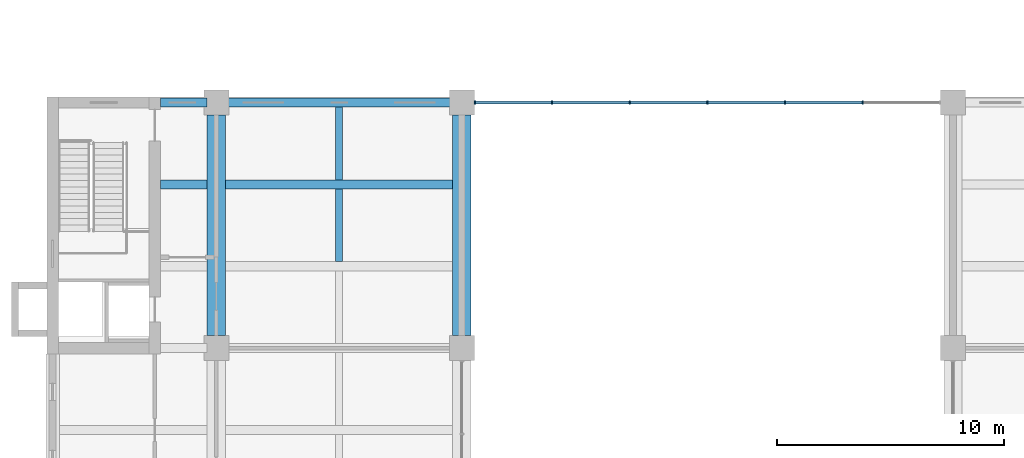
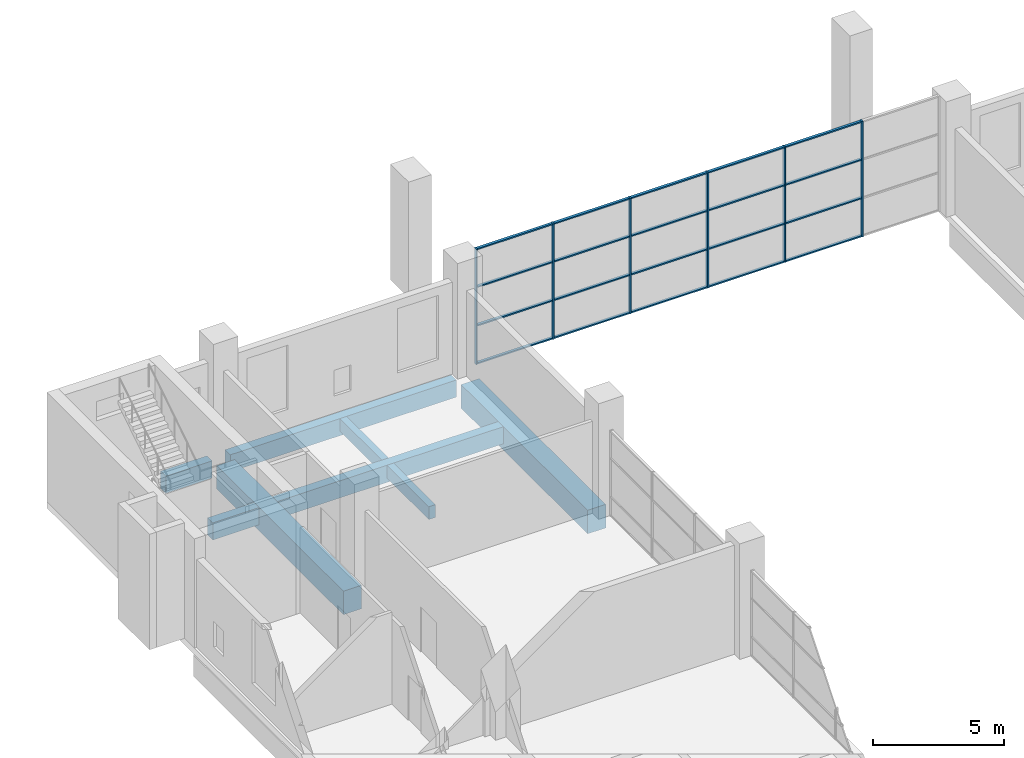
# One storey, part 11 of 33: 26 members, 8 beams, 1 element without a shape of its own.
"""IFC4 building model written with IfcOpenShell, lengths in metres."""

from ifc_helpers import new_model, si_unit, direction, frame, origin, origin_2d, place, context, subcontext, project, spatial, rectangle, extrude, material, layer, layer_set, material_profile, profile_set, type_object, element, aggregate, save


model = new_model("IFC4")

# Units and contexts
model_context = context("Model", 3, precision=1e-05, world=origin(), true_north=direction((0.0, 1.0)))
body_context = subcontext(model_context, "Body", "Model", "MODEL_VIEW")
ifc_project = project(units=[si_unit("LENGTHUNIT", "METRE"), si_unit("AREAUNIT", "SQUARE_METRE"), si_unit("VOLUMEUNIT", "CUBIC_METRE"), si_unit("PLANEANGLEUNIT", "RADIAN"), si_unit("MASSUNIT", "GRAM", prefix="KILO")], contexts=[model_context])

# Site, building, storey
site_placement = place(None, origin())
site = spatial("IfcSite", under=ifc_project, at=site_placement, CompositionType="ELEMENT")
building_placement = place(site_placement, origin())
building = spatial("IfcBuilding", under=site, at=building_placement, Name="Basin Gate Institute", CompositionType="ELEMENT")
storey_placement = place(building_placement, frame((0.0, 0.0, 6.0)))
storey = spatial("IfcBuildingStorey", under=building, at=storey_placement, Name="L01", CompositionType="ELEMENT", Elevation=6.0)

# Curtain wall, members
ifc_material_1 = material(Name="Aluminium and glass curtain wall", Category="aluminium")
ifc_layer = layer(ifc_material_1, 0.14990234375)
ifc_layer_set = layer_set([ifc_layer], Name="Atrium curtain wall CW81")
curtain_wall_type = type_object("IfcCurtainWallType", Name="Atrium curtain wall CW81", PredefinedType="NOTDEFINED", material=ifc_layer_set)
curtain_wall_placement = place(storey_placement, origin())
curtain_wall = element("IfcCurtainWall", 1, at=curtain_wall_placement, inside=storey, type_object=curtain_wall_type, material=ifc_layer_set, Name="Atrium end screen N L01", PredefinedType="NOTDEFINED")
ifc_material_2 = material(Name="Aluminium mullion", Category="aluminium")
ifc_material_profile_1 = material_profile(ifc_material_2, rectangle(XDim=0.159912109375, YDim=0.06005859375, at=origin_2d()), Name="Atrium mullion MU81 160 x 60")
ifc_profile_set_1 = profile_set([ifc_material_profile_1], Name="Aluminium mullion")
member_type_1 = type_object("IfcMemberType", Name="Atrium mullion MU81", PredefinedType="MULLION", material=ifc_profile_set_1)
member_1_placement = place(storey_placement, frame((79.780029296875, 99.89990234375, 0.0), z_axis=(0.0, 0.0, 1.0), x_axis=(0.0, 1.0, 0.0)))
member_1 = element("IfcMember", 2, at=member_1_placement, type_object=member_type_1, material=ifc_profile_set_1, Name="CW81 mullion 1", PredefinedType="MULLION", context=body_context, shape_type="SweptSolid", body=[
    extrude(rectangle(XDim=0.159912109375, YDim=0.06005859375, at=origin_2d()), origin(), (0.0, 0.0, 1.0), 5.39990234375),
])
member_2_placement = place(storey_placement, frame((83.166748046875, 99.89990234375, 0.0), z_axis=(0.0, 0.0, 1.0), x_axis=(0.0, 1.0, 0.0)))
member_2 = element("IfcMember", 3, at=member_2_placement, type_object=member_type_1, material=ifc_profile_set_1, Name="CW81 mullion 2", PredefinedType="MULLION", context=body_context, shape_type="SweptSolid", body=[
    extrude(rectangle(XDim=0.159912109375, YDim=0.06005859375, at=origin_2d()), origin(), (0.0, 0.0, 1.0), 5.39990234375),
])
member_3_placement = place(storey_placement, frame((86.583251953125, 99.89990234375, 0.0), z_axis=(0.0, 0.0, 1.0), x_axis=(0.0, 1.0, 0.0)))
member_3 = element("IfcMember", 4, at=member_3_placement, type_object=member_type_1, material=ifc_profile_set_1, Name="CW81 mullion 3", PredefinedType="MULLION", context=body_context, shape_type="SweptSolid", body=[
    extrude(rectangle(XDim=0.159912109375, YDim=0.06005859375, at=origin_2d()), origin(), (0.0, 0.0, 1.0), 5.39990234375),
])
member_4_placement = place(storey_placement, frame((90.0, 99.89990234375, 0.0), z_axis=(0.0, 0.0, 1.0), x_axis=(0.0, 1.0, 0.0)))
member_4 = element("IfcMember", 5, at=member_4_placement, type_object=member_type_1, material=ifc_profile_set_1, Name="CW81 mullion 4", PredefinedType="MULLION", context=body_context, shape_type="SweptSolid", body=[
    extrude(rectangle(XDim=0.159912109375, YDim=0.06005859375, at=origin_2d()), origin(), (0.0, 0.0, 1.0), 5.39990234375),
])
member_5_placement = place(storey_placement, frame((93.416748046875, 99.89990234375, 0.0), z_axis=(0.0, 0.0, 1.0), x_axis=(0.0, 1.0, 0.0)))
member_5 = element("IfcMember", 6, at=member_5_placement, type_object=member_type_1, material=ifc_profile_set_1, Name="CW81 mullion 5", PredefinedType="MULLION", context=body_context, shape_type="SweptSolid", body=[
    extrude(rectangle(XDim=0.159912109375, YDim=0.06005859375, at=origin_2d()), origin(), (0.0, 0.0, 1.0), 5.39990234375),
])
member_6_placement = place(storey_placement, frame((96.833251953125, 99.89990234375, 0.0), z_axis=(0.0, 0.0, 1.0), x_axis=(0.0, 1.0, 0.0)))
member_6 = element("IfcMember", 7, at=member_6_placement, type_object=member_type_1, material=ifc_profile_set_1, Name="CW81 mullion 6", PredefinedType="MULLION", context=body_context, shape_type="SweptSolid", body=[
    extrude(rectangle(XDim=0.159912109375, YDim=0.06005859375, at=origin_2d()), origin(), (0.0, 0.0, 1.0), 5.39990234375),
])
ifc_material_3 = material(Name="Aluminium transom", Category="aluminium")
ifc_material_profile_2 = material_profile(ifc_material_3, rectangle(XDim=0.1201171875, YDim=0.06005859375, at=origin_2d()), Name="Atrium transom TR81 120 x 60")
ifc_profile_set_2 = profile_set([ifc_material_profile_2], Name="Aluminium transom")
member_type_2 = type_object("IfcMemberType", Name="Atrium transom TR81", PredefinedType="USERDEFINED", material=ifc_profile_set_2)
member_7_placement = place(storey_placement, frame((79.81005859375, 99.89990234375, 0.030029296875), z_axis=(1.0, 0.0, 0.0), x_axis=(0.0, 1.0, 0.0)))
member_7 = element("IfcMember", 8, at=member_7_placement, type_object=member_type_2, material=ifc_profile_set_2, Name="CW81 transom 1.1", ObjectType="TRANSOM", PredefinedType="USERDEFINED", context=body_context, shape_type="SweptSolid", body=[
    extrude(rectangle(XDim=0.1201171875, YDim=0.06005859375, at=origin_2d()), origin(), (0.0, 0.0, 1.0), 3.32666015625),
])
member_8_placement = place(storey_placement, frame((79.81005859375, 99.89990234375, 1.800048828125), z_axis=(1.0, 0.0, 0.0), x_axis=(0.0, 1.0, 0.0)))
member_8 = element("IfcMember", 9, at=member_8_placement, type_object=member_type_2, material=ifc_profile_set_2, Name="CW81 transom 1.2", ObjectType="TRANSOM", PredefinedType="USERDEFINED", context=body_context, shape_type="SweptSolid", body=[
    extrude(rectangle(XDim=0.1201171875, YDim=0.06005859375, at=origin_2d()), origin(), (0.0, 0.0, 1.0), 3.32666015625),
])
member_9_placement = place(storey_placement, frame((79.81005859375, 99.89990234375, 3.60009765625), z_axis=(1.0, 0.0, 0.0), x_axis=(0.0, 1.0, 0.0)))
member_9 = element("IfcMember", 10, at=member_9_placement, type_object=member_type_2, material=ifc_profile_set_2, Name="CW81 transom 1.3", ObjectType="TRANSOM", PredefinedType="USERDEFINED", context=body_context, shape_type="SweptSolid", body=[
    extrude(rectangle(XDim=0.1201171875, YDim=0.06005859375, at=origin_2d()), origin(), (0.0, 0.0, 1.0), 3.32666015625),
])
member_10_placement = place(storey_placement, frame((79.81005859375, 99.89990234375, 5.3701171875), z_axis=(1.0, 0.0, 0.0), x_axis=(0.0, 1.0, 0.0)))
member_10 = element("IfcMember", 11, at=member_10_placement, type_object=member_type_2, material=ifc_profile_set_2, Name="CW81 transom 1.4", ObjectType="TRANSOM", PredefinedType="USERDEFINED", context=body_context, shape_type="SweptSolid", body=[
    extrude(rectangle(XDim=0.1201171875, YDim=0.06005859375, at=origin_2d()), origin(), (0.0, 0.0, 1.0), 3.32666015625),
])
member_11_placement = place(storey_placement, frame((83.19677734375, 99.89990234375, 0.030029296875), z_axis=(1.0, 0.0, 0.0), x_axis=(0.0, 1.0, 0.0)))
member_11 = element("IfcMember", 12, at=member_11_placement, type_object=member_type_2, material=ifc_profile_set_2, Name="CW81 transom 2.1", ObjectType="TRANSOM", PredefinedType="USERDEFINED", context=body_context, shape_type="SweptSolid", body=[
    extrude(rectangle(XDim=0.1201171875, YDim=0.06005859375, at=origin_2d()), origin(), (0.0, 0.0, 1.0), 3.3564453125),
])
member_12_placement = place(storey_placement, frame((83.19677734375, 99.89990234375, 1.800048828125), z_axis=(1.0, 0.0, 0.0), x_axis=(0.0, 1.0, 0.0)))
member_12 = element("IfcMember", 13, at=member_12_placement, type_object=member_type_2, material=ifc_profile_set_2, Name="CW81 transom 2.2", ObjectType="TRANSOM", PredefinedType="USERDEFINED", context=body_context, shape_type="SweptSolid", body=[
    extrude(rectangle(XDim=0.1201171875, YDim=0.06005859375, at=origin_2d()), origin(), (0.0, 0.0, 1.0), 3.3564453125),
])
member_13_placement = place(storey_placement, frame((83.19677734375, 99.89990234375, 3.60009765625), z_axis=(1.0, 0.0, 0.0), x_axis=(0.0, 1.0, 0.0)))
member_13 = element("IfcMember", 14, at=member_13_placement, type_object=member_type_2, material=ifc_profile_set_2, Name="CW81 transom 2.3", ObjectType="TRANSOM", PredefinedType="USERDEFINED", context=body_context, shape_type="SweptSolid", body=[
    extrude(rectangle(XDim=0.1201171875, YDim=0.06005859375, at=origin_2d()), origin(), (0.0, 0.0, 1.0), 3.3564453125),
])
member_14_placement = place(storey_placement, frame((83.19677734375, 99.89990234375, 5.3701171875), z_axis=(1.0, 0.0, 0.0), x_axis=(0.0, 1.0, 0.0)))
member_14 = element("IfcMember", 15, at=member_14_placement, type_object=member_type_2, material=ifc_profile_set_2, Name="CW81 transom 2.4", ObjectType="TRANSOM", PredefinedType="USERDEFINED", context=body_context, shape_type="SweptSolid", body=[
    extrude(rectangle(XDim=0.1201171875, YDim=0.06005859375, at=origin_2d()), origin(), (0.0, 0.0, 1.0), 3.3564453125),
])
member_15_placement = place(storey_placement, frame((86.61328125, 99.89990234375, 0.030029296875), z_axis=(1.0, 0.0, 0.0), x_axis=(0.0, 1.0, 0.0)))
member_15 = element("IfcMember", 16, at=member_15_placement, type_object=member_type_2, material=ifc_profile_set_2, Name="CW81 transom 3.1", ObjectType="TRANSOM", PredefinedType="USERDEFINED", context=body_context, shape_type="SweptSolid", body=[
    extrude(rectangle(XDim=0.1201171875, YDim=0.06005859375, at=origin_2d()), origin(), (0.0, 0.0, 1.0), 3.356689453125),
])
member_16_placement = place(storey_placement, frame((86.61328125, 99.89990234375, 1.800048828125), z_axis=(1.0, 0.0, 0.0), x_axis=(0.0, 1.0, 0.0)))
member_16 = element("IfcMember", 17, at=member_16_placement, type_object=member_type_2, material=ifc_profile_set_2, Name="CW81 transom 3.2", ObjectType="TRANSOM", PredefinedType="USERDEFINED", context=body_context, shape_type="SweptSolid", body=[
    extrude(rectangle(XDim=0.1201171875, YDim=0.06005859375, at=origin_2d()), origin(), (0.0, 0.0, 1.0), 3.356689453125),
])
member_17_placement = place(storey_placement, frame((86.61328125, 99.89990234375, 3.60009765625), z_axis=(1.0, 0.0, 0.0), x_axis=(0.0, 1.0, 0.0)))
member_17 = element("IfcMember", 18, at=member_17_placement, type_object=member_type_2, material=ifc_profile_set_2, Name="CW81 transom 3.3", ObjectType="TRANSOM", PredefinedType="USERDEFINED", context=body_context, shape_type="SweptSolid", body=[
    extrude(rectangle(XDim=0.1201171875, YDim=0.06005859375, at=origin_2d()), origin(), (0.0, 0.0, 1.0), 3.356689453125),
])
member_18_placement = place(storey_placement, frame((86.61328125, 99.89990234375, 5.3701171875), z_axis=(1.0, 0.0, 0.0), x_axis=(0.0, 1.0, 0.0)))
member_18 = element("IfcMember", 19, at=member_18_placement, type_object=member_type_2, material=ifc_profile_set_2, Name="CW81 transom 3.4", ObjectType="TRANSOM", PredefinedType="USERDEFINED", context=body_context, shape_type="SweptSolid", body=[
    extrude(rectangle(XDim=0.1201171875, YDim=0.06005859375, at=origin_2d()), origin(), (0.0, 0.0, 1.0), 3.356689453125),
])
member_19_placement = place(storey_placement, frame((90.030029296875, 99.89990234375, 0.030029296875), z_axis=(1.0, 0.0, 0.0), x_axis=(0.0, 1.0, 0.0)))
member_19 = element("IfcMember", 20, at=member_19_placement, type_object=member_type_2, material=ifc_profile_set_2, Name="CW81 transom 4.1", ObjectType="TRANSOM", PredefinedType="USERDEFINED", context=body_context, shape_type="SweptSolid", body=[
    extrude(rectangle(XDim=0.1201171875, YDim=0.06005859375, at=origin_2d()), origin(), (0.0, 0.0, 1.0), 3.356689453125),
])
member_20_placement = place(storey_placement, frame((90.030029296875, 99.89990234375, 1.800048828125), z_axis=(1.0, 0.0, 0.0), x_axis=(0.0, 1.0, 0.0)))
member_20 = element("IfcMember", 21, at=member_20_placement, type_object=member_type_2, material=ifc_profile_set_2, Name="CW81 transom 4.2", ObjectType="TRANSOM", PredefinedType="USERDEFINED", context=body_context, shape_type="SweptSolid", body=[
    extrude(rectangle(XDim=0.1201171875, YDim=0.06005859375, at=origin_2d()), origin(), (0.0, 0.0, 1.0), 3.356689453125),
])
member_21_placement = place(storey_placement, frame((90.030029296875, 99.89990234375, 3.60009765625), z_axis=(1.0, 0.0, 0.0), x_axis=(0.0, 1.0, 0.0)))
member_21 = element("IfcMember", 22, at=member_21_placement, type_object=member_type_2, material=ifc_profile_set_2, Name="CW81 transom 4.3", ObjectType="TRANSOM", PredefinedType="USERDEFINED", context=body_context, shape_type="SweptSolid", body=[
    extrude(rectangle(XDim=0.1201171875, YDim=0.06005859375, at=origin_2d()), origin(), (0.0, 0.0, 1.0), 3.356689453125),
])
member_22_placement = place(storey_placement, frame((90.030029296875, 99.89990234375, 5.3701171875), z_axis=(1.0, 0.0, 0.0), x_axis=(0.0, 1.0, 0.0)))
member_22 = element("IfcMember", 23, at=member_22_placement, type_object=member_type_2, material=ifc_profile_set_2, Name="CW81 transom 4.4", ObjectType="TRANSOM", PredefinedType="USERDEFINED", context=body_context, shape_type="SweptSolid", body=[
    extrude(rectangle(XDim=0.1201171875, YDim=0.06005859375, at=origin_2d()), origin(), (0.0, 0.0, 1.0), 3.356689453125),
])
member_23_placement = place(storey_placement, frame((93.44677734375, 99.89990234375, 0.030029296875), z_axis=(1.0, 0.0, 0.0), x_axis=(0.0, 1.0, 0.0)))
member_23 = element("IfcMember", 24, at=member_23_placement, type_object=member_type_2, material=ifc_profile_set_2, Name="CW81 transom 5.1", ObjectType="TRANSOM", PredefinedType="USERDEFINED", context=body_context, shape_type="SweptSolid", body=[
    extrude(rectangle(XDim=0.1201171875, YDim=0.06005859375, at=origin_2d()), origin(), (0.0, 0.0, 1.0), 3.3564453125),
])
member_24_placement = place(storey_placement, frame((93.44677734375, 99.89990234375, 1.800048828125), z_axis=(1.0, 0.0, 0.0), x_axis=(0.0, 1.0, 0.0)))
member_24 = element("IfcMember", 25, at=member_24_placement, type_object=member_type_2, material=ifc_profile_set_2, Name="CW81 transom 5.2", ObjectType="TRANSOM", PredefinedType="USERDEFINED", context=body_context, shape_type="SweptSolid", body=[
    extrude(rectangle(XDim=0.1201171875, YDim=0.06005859375, at=origin_2d()), origin(), (0.0, 0.0, 1.0), 3.3564453125),
])
member_25_placement = place(storey_placement, frame((93.44677734375, 99.89990234375, 3.60009765625), z_axis=(1.0, 0.0, 0.0), x_axis=(0.0, 1.0, 0.0)))
member_25 = element("IfcMember", 26, at=member_25_placement, type_object=member_type_2, material=ifc_profile_set_2, Name="CW81 transom 5.3", ObjectType="TRANSOM", PredefinedType="USERDEFINED", context=body_context, shape_type="SweptSolid", body=[
    extrude(rectangle(XDim=0.1201171875, YDim=0.06005859375, at=origin_2d()), origin(), (0.0, 0.0, 1.0), 3.3564453125),
])
member_26_placement = place(storey_placement, frame((93.44677734375, 99.89990234375, 5.3701171875), z_axis=(1.0, 0.0, 0.0), x_axis=(0.0, 1.0, 0.0)))
member_26 = element("IfcMember", 27, at=member_26_placement, type_object=member_type_2, material=ifc_profile_set_2, Name="CW81 transom 5.4", ObjectType="TRANSOM", PredefinedType="USERDEFINED", context=body_context, shape_type="SweptSolid", body=[
    extrude(rectangle(XDim=0.1201171875, YDim=0.06005859375, at=origin_2d()), origin(), (0.0, 0.0, 1.0), 3.3564453125),
])
aggregate(curtain_wall, [member_1, member_2, member_3, member_4, member_5, member_6, member_7, member_8, member_9, member_10, member_11, member_12, member_13, member_14, member_15, member_16, member_17, member_18, member_19, member_20, member_21, member_22, member_23, member_24, member_25, member_26])

# Beams
ifc_material_4 = material(Name="Concrete 40 MPa", Category="concrete")
ifc_material_profile_3 = material_profile(ifc_material_4, rectangle(XDim=0.39990234375, YDim=0.800048828125, at=origin_2d()), Name="Beam B2 400 x 800")
ifc_profile_set_3 = profile_set([ifc_material_profile_3], Name="Concrete 40 MPa")
beam_type_1 = type_object("IfcBeamType", Name="Beam B2 R180", PredefinedType="BEAM", material=ifc_profile_set_3)
beam_1_placement = place(storey_placement, frame((68.800048828125, 96.300048828125, -0.699951171875), z_axis=(1.0, 0.0, 0.0), x_axis=(0.0, 1.0, 0.0)))
element("IfcBeam", 28, at=beam_1_placement, inside=storey, type_object=beam_type_1, material=ifc_profile_set_3, Name="BEAM/L01/W/EW/18", PredefinedType="BEAM", context=body_context, shape_type="SweptSolid", body=[
    extrude(rectangle(XDim=0.39990234375, YDim=0.800048828125, at=origin_2d()), origin(), (0.0, 0.0, 1.0), 10.0),
])
beam_2_placement = place(storey_placement, frame((65.949951171875, 96.300048828125, -0.699951171875), z_axis=(1.0, 0.0, 0.0), x_axis=(0.0, 1.0, 0.0)))
element("IfcBeam", 29, at=beam_2_placement, inside=storey, type_object=beam_type_1, material=ifc_profile_set_3, Name="BEAM/L01/W/CORR/18", PredefinedType="BEAM", context=body_context, shape_type="SweptSolid", body=[
    extrude(rectangle(XDim=0.39990234375, YDim=0.800048828125, at=origin_2d()), origin(), (0.0, 0.0, 1.0), 2.050048828125),
])
beam_3_placement = place(storey_placement, frame((68.800048828125, 99.89990234375, -0.699951171875), z_axis=(1.0, 0.0, 0.0), x_axis=(0.0, 1.0, 0.0)))
element("IfcBeam", 30, at=beam_3_placement, inside=storey, type_object=beam_type_1, material=ifc_profile_set_3, Name="BEAM/L01/W/EW/19", PredefinedType="BEAM", context=body_context, shape_type="SweptSolid", body=[
    extrude(rectangle(XDim=0.39990234375, YDim=0.800048828125, at=origin_2d()), origin(), (0.0, 0.0, 1.0), 10.0),
])
beam_4_placement = place(storey_placement, frame((65.949951171875, 99.89990234375, -0.699951171875), z_axis=(1.0, 0.0, 0.0), x_axis=(0.0, 1.0, 0.0)))
element("IfcBeam", 31, at=beam_4_placement, inside=storey, type_object=beam_type_1, material=ifc_profile_set_3, Name="BEAM/L01/W/CORR/19", PredefinedType="BEAM", context=body_context, shape_type="SweptSolid", body=[
    extrude(rectangle(XDim=0.39990234375, YDim=0.800048828125, at=origin_2d()), origin(), (0.0, 0.0, 1.0), 2.050048828125),
])
ifc_material_5 = material(Name="Concrete 50 MPa", Category="concrete")
ifc_material_profile_4 = material_profile(ifc_material_5, rectangle(XDim=0.800048828125, YDim=1.10009765625, at=origin_2d()), Name="Girder G2 800 x 1100")
ifc_profile_set_4 = profile_set([ifc_material_profile_4], Name="Concrete 50 MPa")
beam_type_2 = type_object("IfcBeamType", Name="Girder G2 R180", PredefinedType="BEAM", material=ifc_profile_set_4)
for number, where, z_axis, x_axis, name in (
    (32, (68.39990234375, 89.64990234375, -0.85009765625), (0.0, 1.0, 0.0), (-1.0, 0.0, 0.0), "GIR/L01/W5/6"),
    (33, (79.199951171875, 89.64990234375, -0.85009765625), (0.0, 1.0, 0.0), (-1.0, 0.0, 0.0), "GIR/L01/W6/6"),
):
    element("IfcBeam", number, at=place(storey_placement, frame(where, z_axis=z_axis, x_axis=x_axis)), inside=storey, type_object=beam_type_2, material=ifc_profile_set_4, Name=name, PredefinedType="BEAM", context=body_context, shape_type="SweptSolid", body=[
        extrude(rectangle(XDim=0.800048828125, YDim=1.10009765625, at=origin_2d()), origin(), (0.0, 0.0, 1.0), 9.7001953125),
    ])
ifc_material_6 = material(Name="Concrete 40 MPa", Category="concrete")
ifc_material_profile_5 = material_profile(ifc_material_6, rectangle(XDim=0.300048828125, YDim=0.60009765625, at=origin_2d()), Name="Rib R2 300 x 600")
ifc_profile_set_5 = profile_set([ifc_material_profile_5], Name="Concrete 40 MPa")
beam_type_3 = type_object("IfcBeamType", Name="Rib R2 R180", PredefinedType="JOIST", material=ifc_profile_set_5)
beam_5_placement = place(storey_placement, frame((73.800048828125, 92.89990234375, -0.60009765625), z_axis=(0.0, 1.0, 0.0), x_axis=(-1.0, 0.0, 0.0)))
element("IfcBeam", 34, at=beam_5_placement, inside=storey, type_object=beam_type_3, material=ifc_profile_set_5, Name="BEAM/L01/W/RIB/17", PredefinedType="JOIST", context=body_context, shape_type="SweptSolid", body=[
    extrude(rectangle(XDim=0.300048828125, YDim=0.60009765625, at=origin_2d()), origin(), (0.0, 0.0, 1.0), 3.2001953125),
])
beam_6_placement = place(storey_placement, frame((73.800048828125, 96.5, -0.60009765625), z_axis=(0.0, 1.0, 0.0), x_axis=(-1.0, 0.0, 0.0)))
element("IfcBeam", 35, at=beam_6_placement, inside=storey, type_object=beam_type_3, material=ifc_profile_set_5, Name="BEAM/L01/W/RIB/18", PredefinedType="JOIST", context=body_context, shape_type="SweptSolid", body=[
    extrude(rectangle(XDim=0.300048828125, YDim=0.60009765625, at=origin_2d()), origin(), (0.0, 0.0, 1.0), 3.199951171875),
])

save(model, "model.ifc")
